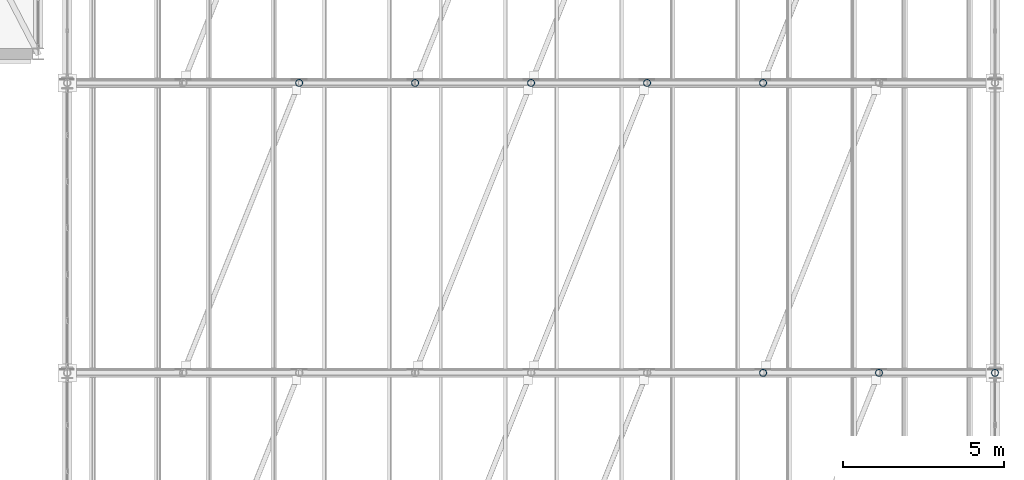
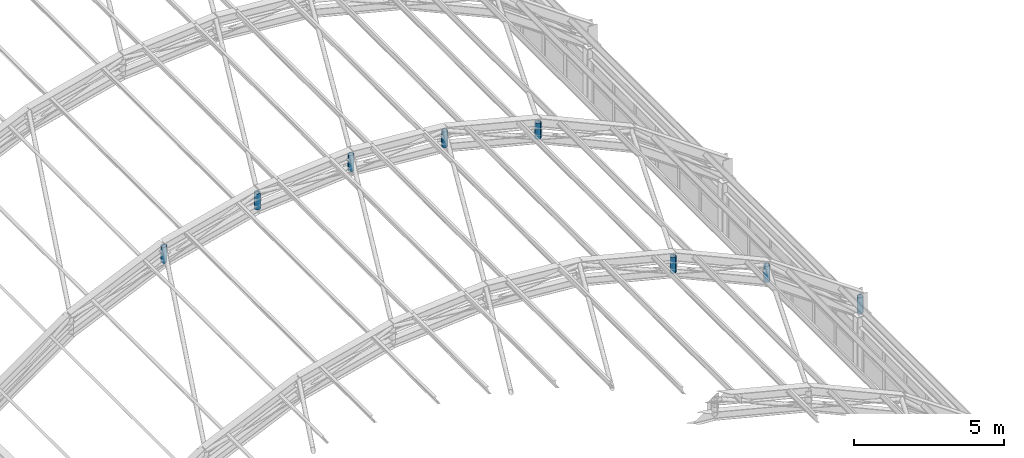
# One storey, part 91 of 121: 8 members.
"""IFC4 building model written with IfcOpenShell, lengths in metres."""

from ifc_helpers import new_model, si_unit, direction, frame, origin, origin_2d, place, context, subcontext, project, spatial, hollow_circle, extrude, material, material_profile, profile_set, type_object, element, save


model = new_model("IFC4")

# Units and contexts
model_context = context("Model", 3, precision=1e-05, world=origin(), true_north=direction((0.0, 1.0)))
body_context = subcontext(model_context, "Body", "Model", "MODEL_VIEW")
ifc_project = project(units=[si_unit("LENGTHUNIT", "METRE"), si_unit("AREAUNIT", "SQUARE_METRE"), si_unit("VOLUMEUNIT", "CUBIC_METRE"), si_unit("PLANEANGLEUNIT", "RADIAN"), si_unit("MASSUNIT", "GRAM", prefix="KILO")], contexts=[model_context])

# Site, building, storey
site_placement = place(None, origin())
site = spatial("IfcSite", under=ifc_project, at=site_placement, CompositionType="ELEMENT")
building_placement = place(site_placement, origin())
building = spatial("IfcBuilding", under=site, at=building_placement, Name="Canglan Escarpment Cableway Terminal", CompositionType="ELEMENT")
storey_placement = place(building_placement, frame((0.0, 0.0, 24.60009765625)))
storey = spatial("IfcBuildingStorey", under=building, at=storey_placement, Name="L05", CompositionType="ELEMENT", Elevation=24.60009765625)

# Members
ifc_material = material(Name="Steel Q355B", Category="steel")
ifc_material_profile = material_profile(ifc_material, hollow_circle(Radius=0.109619140625, WallThickness=0.008056640625, at=origin_2d()), Name="CHS 219.1x8")
ifc_profile_set = profile_set([ifc_material_profile], Name="Steel Q355B")
member_type = type_object("IfcMemberType", Name="MB-ARCH-WEB-CHS219", PredefinedType="BRACE", material=ifc_profile_set)
for number, where, z_axis, x_axis, name in (
    (1, (159.199951171875, 79.0, 6.58837890625), (0.0, 0.0, 1.0), (1.0, 0.0, 0.0), "Vault ROOF TRUSS vertical strut AR-WB1"),
    (2, (162.800048828125, 79.0, 4.966552734375), (0.0, 0.0, 1.0), (1.0, 0.0, 0.0), "Vault ROOF TRUSS vertical strut AR-WB1"),
):
    element("IfcMember", number, at=place(storey_placement, frame(where, z_axis=z_axis, x_axis=x_axis)), inside=storey, type_object=member_type, Name=name, PredefinedType="BRACE", context=body_context, shape_type="SweptSolid", body=[
        extrude(hollow_circle(Radius=0.109619140625, WallThickness=0.008056640625, at=origin_2d()), origin(), (0.0, 0.0, 1.0), 0.64990234375),
    ])
member_1_placement = place(storey_placement, frame((166.39990234375, 79.0, 2.432373046875), z_axis=(0.0, 0.0, 1.0), x_axis=(1.0, 0.0, 0.0)))
element("IfcMember", 3, at=member_1_placement, inside=storey, type_object=member_type, Name="Vault ROOF TRUSS springing strut AR-WB1", PredefinedType="BRACE", context=body_context, shape_type="SweptSolid", body=[
    extrude(hollow_circle(Radius=0.109619140625, WallThickness=0.008056640625, at=origin_2d()), origin(), (0.0, 0.0, 1.0), 0.650146484375),
])
for number, where, z_axis, x_axis, name in (
    (4, (144.800048828125, 88.0, 6.58837890625), (0.0, 0.0, 1.0), (1.0, 0.0, 0.0), "Vault ROOF TRUSS vertical strut AR-WB1"),
    (5, (148.39990234375, 88.0, 7.50341796875), (0.0, 0.0, 1.0), (1.0, 0.0, 0.0), "Vault ROOF TRUSS vertical strut AR-WB1"),
):
    element("IfcMember", number, at=place(storey_placement, frame(where, z_axis=z_axis, x_axis=x_axis)), inside=storey, type_object=member_type, Name=name, PredefinedType="BRACE", context=body_context, shape_type="SweptSolid", body=[
        extrude(hollow_circle(Radius=0.109619140625, WallThickness=0.008056640625, at=origin_2d()), origin(), (0.0, 0.0, 1.0), 0.64990234375),
    ])
member_2_placement = place(storey_placement, frame((152.0, 88.0, 7.7998046875), z_axis=(0.0, 0.0, 1.0), x_axis=(1.0, 0.0, 0.0)))
element("IfcMember", 6, at=member_2_placement, inside=storey, type_object=member_type, Name="Vault ROOF TRUSS vertical strut AR-WB1", PredefinedType="BRACE", context=body_context, shape_type="SweptSolid", body=[
    extrude(hollow_circle(Radius=0.109619140625, WallThickness=0.008056640625, at=origin_2d()), origin(), (0.0, 0.0, 1.0), 0.650146484375),
])
for number, where, z_axis, x_axis, name in (
    (7, (155.60009765625, 88.0, 7.50341796875), (0.0, 0.0, 1.0), (1.0, 0.0, 0.0), "Vault ROOF TRUSS vertical strut AR-WB1"),
    (8, (159.199951171875, 88.0, 6.58837890625), (0.0, 0.0, 1.0), (1.0, 0.0, 0.0), "Vault ROOF TRUSS vertical strut AR-WB1"),
):
    element("IfcMember", number, at=place(storey_placement, frame(where, z_axis=z_axis, x_axis=x_axis)), inside=storey, type_object=member_type, Name=name, PredefinedType="BRACE", context=body_context, shape_type="SweptSolid", body=[
        extrude(hollow_circle(Radius=0.109619140625, WallThickness=0.008056640625, at=origin_2d()), origin(), (0.0, 0.0, 1.0), 0.64990234375),
    ])

save(model, "model.ifc")
